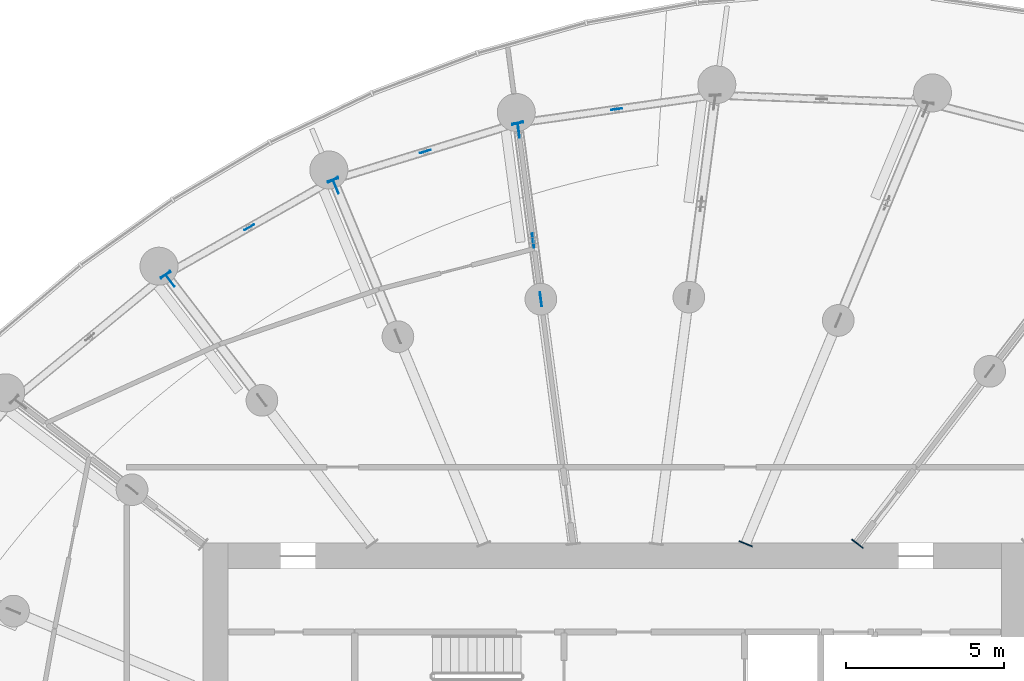
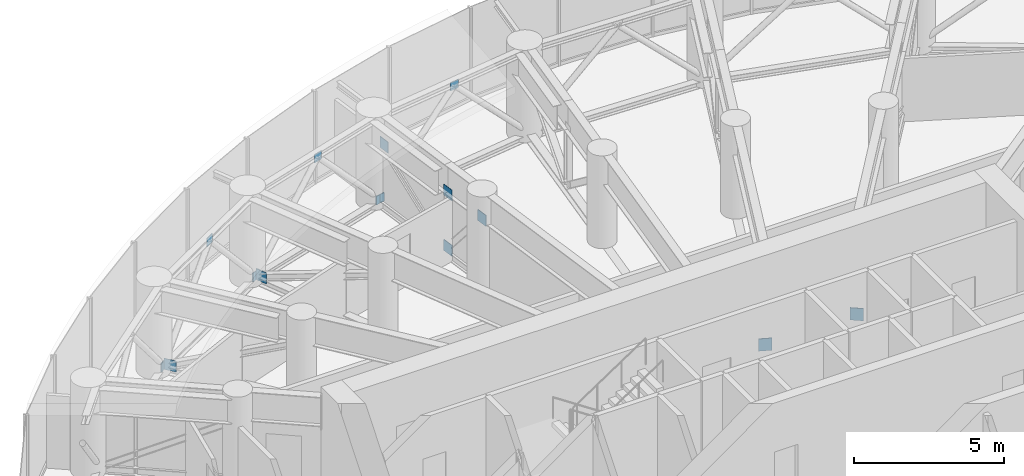
# One storey, part 28 of 33: 17 discrete accessories.
"""IFC4 building model written with IfcOpenShell, lengths in metres."""

from ifc_helpers import new_model, si_unit, direction, frame, origin, origin_2d, place, context, subcontext, project, spatial, rectangle, extrude, source, transform, mapped, material, layer, layer_set, type_object, element, save


model = new_model("IFC4")

# Units and contexts
model_context = context("Model", 3, precision=1e-05, world=origin(), true_north=direction((0.0, 1.0)))
body_context = subcontext(model_context, "Body", "Model", "MODEL_VIEW")
ifc_project = project(units=[si_unit("LENGTHUNIT", "METRE"), si_unit("AREAUNIT", "SQUARE_METRE"), si_unit("VOLUMEUNIT", "CUBIC_METRE"), si_unit("PLANEANGLEUNIT", "RADIAN"), si_unit("MASSUNIT", "GRAM", prefix="KILO")], contexts=[model_context])

# Site, building, storey
site_placement = place(None, origin())
site = spatial("IfcSite", under=ifc_project, at=site_placement, CompositionType="ELEMENT")
building_placement = place(site_placement, origin())
building = spatial("IfcBuilding", under=site, at=building_placement, Name="Spindrift Exchange Tower", CompositionType="ELEMENT")
storey_placement = place(building_placement, frame((0.0, 0.0, 129.0)))
storey = spatial("IfcBuildingStorey", under=building, at=storey_placement, Name="L30", CompositionType="ELEMENT", Elevation=129.0)

# Discrete accessories
ifc_material = material(Name="Steel Grade 350", Category="steel")
ifc_layer_1 = layer(ifc_material, 0.031982421875)
ifc_layer_set_1 = layer_set([ifc_layer_1], Name="Cast-in plate 450x500x32 Steel Grade 350")
discrete_accessory_type_1 = type_object("IfcDiscreteAccessoryType", Name="Cast-in plate 450x500x32 Steel Grade 350", PredefinedType="USERDEFINED", material=ifc_layer_set_1)
shared_shape_1 = source(origin(), body_context, "Body", "SweptSolid", [
    extrude(rectangle(XDim=0.031982421875, YDim=0.449951171875, at=origin_2d()), origin(), (0.0, 0.0, 1.0), 0.5),
])
for number, where, z_axis, x_axis, name in (
    (1, (59.6611328125, 57.984130859375, -0.410400390625), (0.0, 0.0, 1.0), (0.608761429009, 0.793353340291, 0.0), "L30 cast-in plate CP2 04"),
    (2, (56.134521484375, 57.9814453125, -0.410400390625), (0.0, 0.0, 1.0), (0.382683432365, 0.923879532511, 0.0), "L30 cast-in plate CP2 05"),
):
    element("IfcDiscreteAccessory", number, at=place(storey_placement, frame(where, z_axis=z_axis, x_axis=x_axis)), inside=storey, type_object=discrete_accessory_type_1, Name=name, ObjectType="Cast-in plate", PredefinedType="USERDEFINED", context=body_context, shape_type="MappedRepresentation", body=[
        mapped(shared_shape_1, transform((0.0, 0.0, 0.0), scale=1.0)),
    ])
ifc_layer_2 = layer(ifc_material, 0.02490234375)
ifc_layer_set_2 = layer_set([ifc_layer_2], Name="Gusset plate 450x450x25 Steel Grade 350")
discrete_accessory_type_2 = type_object("IfcDiscreteAccessoryType", Name="Gusset plate 450x450x25 Steel Grade 350", PredefinedType="USERDEFINED", material=ifc_layer_set_2)
shared_shape_2 = source(origin(), body_context, "Body", "SweptSolid", [
    extrude(rectangle(XDim=0.449951171875, YDim=0.02490234375, at=origin_2d()), origin(), (0.0, 0.0, 1.0), 0.449951171875),
])
for number, where, z_axis, x_axis, name in (
    (3, (49.669189453125, 65.703125, 2.35498046875), (0.0, 0.0, 1.0), (-0.130522731424, 0.99144531699, 0.0), "L30 gusset plate GP1 07"),
    (4, (49.426025390625, 67.55126953125, 0.09619140625), (0.0, 0.0, 1.0), (-0.130522731424, 0.99144531699, 0.0), "L30 gusset plate GP1 07"),
    (5, (48.96923828125, 71.0205078125, 2.35498046875), (0.0, 0.0, 1.0), (-0.130521001025, 0.991445544794, 0.0), "L30 gusset plate GP1 07"),
    (6, (49.426025390625, 67.55126953125, 2.35498046875), (0.0, 0.0, 1.0), (-0.13052619222, 0.991444861374, 0.0), "L30 gusset plate GP1 07"),
    (7, (43.2001953125, 69.24462890625, 0.09619140625), (0.0, 0.0, 1.0), (-0.382672145019, 0.923884207802, 0.0), "L30 gusset plate GP1 08"),
    (8, (37.97119140625, 66.282958984375, 0.09619140625), (0.0, 0.0, 1.0), (-0.608758659679, 0.793355465265, 0.0), "L30 gusset plate GP1 09"),
):
    element("IfcDiscreteAccessory", number, at=place(storey_placement, frame(where, z_axis=z_axis, x_axis=x_axis)), inside=storey, type_object=discrete_accessory_type_2, Name=name, ObjectType="Gusset plate", PredefinedType="USERDEFINED", context=body_context, shape_type="MappedRepresentation", body=[
        mapped(shared_shape_2, transform((0.0, 0.0, 0.0), scale=1.0)),
    ])
ifc_layer_3 = layer(ifc_material, 0.02001953125)
ifc_layer_set_3 = layer_set([ifc_layer_3], Name="Gusset plate 350x350x20 Steel Grade 350")
discrete_accessory_type_3 = type_object("IfcDiscreteAccessoryType", Name="Gusset plate 350x350x20 Steel Grade 350", PredefinedType="USERDEFINED", material=ifc_layer_set_3)
shared_shape_3 = source(origin(), body_context, "Body", "SweptSolid", [
    extrude(rectangle(XDim=0.35009765625, YDim=0.02001953125, at=origin_2d()), origin(), (0.0, 0.0, 1.0), 0.35009765625),
])
for number, where, z_axis, x_axis, name in (
    (9, (52.05810546875, 71.698974609375, 3.350830078125), (0.0, 0.0, 1.0), (-0.990171154486, -0.139860948171, 0.0), "L30 gusset plate GP2 06"),
    (10, (48.93798828125, 71.25830078125, 0.078857421875), (0.0, 0.0, 1.0), (-0.990171154486, -0.139860948171, 0.0), "L30 gusset plate GP2 06"),
    (11, (48.93798828125, 71.25830078125, 0.078857421875), (0.0, 0.0, 1.0), (-0.955861244272, -0.293818450236, 0.0), "L30 gusset plate GP2 07"),
    (12, (46.023193359375, 70.3623046875, 3.350830078125), (0.0, 0.0, 1.0), (-0.955861244272, -0.293818450236, 0.0), "L30 gusset plate GP2 07"),
    (13, (43.1083984375, 69.46630859375, 0.078857421875), (0.0, 0.0, 1.0), (-0.955867397781, -0.29379843066, 0.0), "L30 gusset plate GP2 07"),
    (14, (43.1083984375, 69.46630859375, 0.078857421875), (0.0, 0.0, 1.0), (-0.870073656611, -0.492921730168, 0.0), "L30 gusset plate GP2 08"),
    (15, (40.466552734375, 67.9697265625, 3.350830078125), (0.0, 0.0, 1.0), (-0.870073656611, -0.492921730168, 0.0), "L30 gusset plate GP2 08"),
    (16, (37.824951171875, 66.473388671875, 0.078857421875), (0.0, 0.0, 1.0), (-0.870079678721, -0.492911100176, 0.0), "L30 gusset plate GP2 08"),
    (17, (37.824951171875, 66.473388671875, 0.078857421875), (0.0, 0.0, 1.0), (-0.771926461558, -0.635711835619, 0.0), "L30 gusset plate GP2 09"),
):
    element("IfcDiscreteAccessory", number, at=place(storey_placement, frame(where, z_axis=z_axis, x_axis=x_axis)), inside=storey, type_object=discrete_accessory_type_3, Name=name, ObjectType="Gusset plate", PredefinedType="USERDEFINED", context=body_context, shape_type="MappedRepresentation", body=[
        mapped(shared_shape_3, transform((0.0, 0.0, 0.0), scale=1.0)),
    ])

save(model, "model.ifc")
